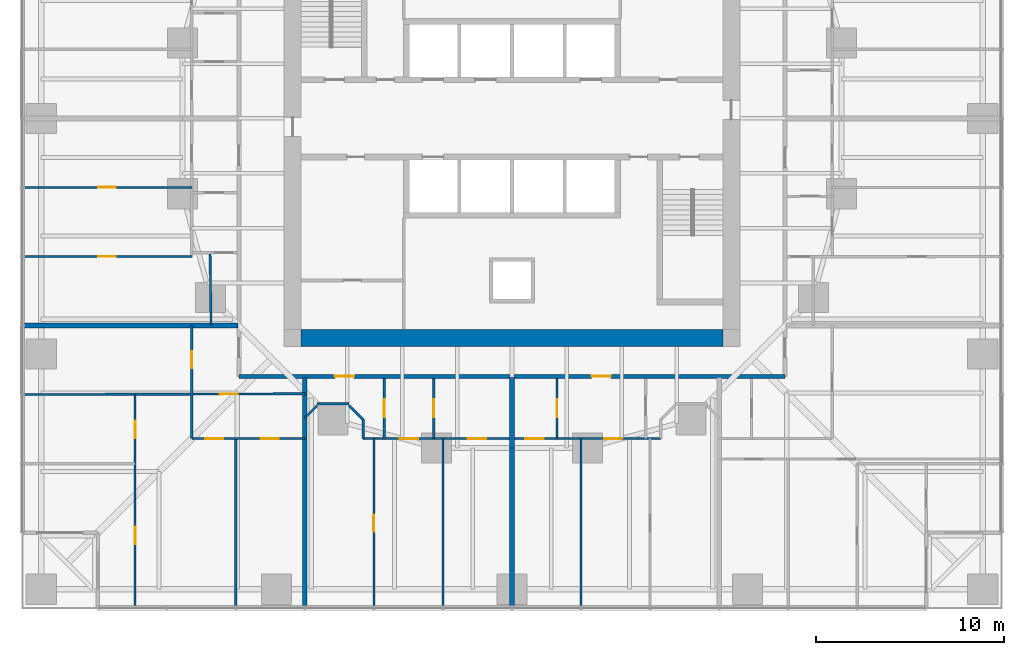
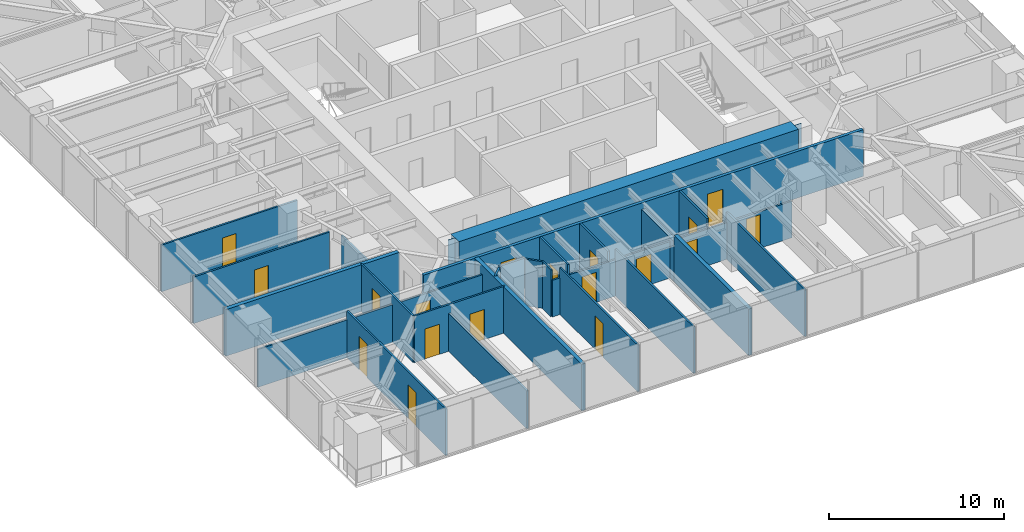
# One storey, part 8 of 17: 25 walls, 18 doors, 18 openings.
"""IFC4 building model written with IfcOpenShell, lengths in metres."""

from ifc_helpers import new_model, si_unit, direction, frame, frame_2d, origin, place, context, subcontext, project, spatial, polyline, rectangle, outline, extrude, material, layer, layer_set, type_object, element, fill, save


model = new_model("IFC4")

# Units and contexts
model_context = context("Model", 3, precision=1e-05, world=origin(), true_north=direction((0.0, 1.0)))
body_context = subcontext(model_context, "Body", "Model", "MODEL_VIEW")
ifc_project = project(units=[si_unit("LENGTHUNIT", "METRE"), si_unit("AREAUNIT", "SQUARE_METRE"), si_unit("VOLUMEUNIT", "CUBIC_METRE"), si_unit("PLANEANGLEUNIT", "RADIAN"), si_unit("MASSUNIT", "GRAM", prefix="KILO")], contexts=[model_context])

# Site, building, storey
site_placement = place(None, origin())
site = spatial("IfcSite", under=ifc_project, at=site_placement, CompositionType="ELEMENT")
building_placement = place(site_placement, origin())
building = spatial("IfcBuilding", under=site, at=building_placement, Name="Torsade Residences", CompositionType="ELEMENT")
storey_placement = place(building_placement, frame((0.0, 0.0, 18.39990234375)))
storey = spatial("IfcBuildingStorey", under=building, at=storey_placement, Name="L04", CompositionType="ELEMENT", Elevation=18.39990234375)

# Wall
ifc_material_1 = material(Name="Concrete 80 MPa", Category="concrete")
ifc_layer_1 = layer(ifc_material_1, 0.89990234375)
ifc_layer_set_1 = layer_set([ifc_layer_1], Name="Concrete 80 MPa")
wall_type_1 = type_object("IfcWallType", Name="CORE WALL 900", PredefinedType="SHEAR", material=ifc_layer_set_1)
wall_1_placement = place(storey_placement, frame((51.199951171875, 18.35009765625, 0.0), z_axis=(0.0, 0.0, 1.0), x_axis=(-1.0, 0.0, 0.0)))
element("IfcWall", 1, at=wall_1_placement, inside=storey, type_object=wall_type_1, Name="Core wall S L04", PredefinedType="SHEAR", context=body_context, shape_type="SweptSolid", body=[
    extrude(outline(polyline([(0.0, -0.449951171875), (22.39990234375, -0.449951171875), (22.39990234375, -0.02490234375), (22.849853515625, -0.02490234375), (22.849853515625, 0.02490234375), (22.39990234375, 0.02490234375), (22.39990234375, 0.449951171875), (0.0, 0.449951171875), (0.0, 0.02490234375), (-0.449951171875, 0.02490234375), (-0.449951171875, -0.02490234375), (0.0, -0.02490234375), (0.0, -0.449951171875)])), origin(), (0.0, 0.0, 1.0), 3.400146484375),
])

# Wall, openings, doors
ifc_material_2 = material(Name="Plasterboard on steel stud", Category="steel")
ifc_layer_2 = layer(ifc_material_2, 0.199951171875)
ifc_layer_set_2 = layer_set([ifc_layer_2], Name="Plasterboard on steel stud")
wall_type_2 = type_object("IfcWallType", Name="CORRIDOR WALL 200", PredefinedType="PARTITIONING", material=ifc_layer_set_2)
wall_2_placement = place(storey_placement, frame((25.5, 16.300048828125, 0.0), z_axis=(0.0, 0.0, 1.0), x_axis=(1.0, 0.0, 0.0)))
wall_2 = element("IfcWall", 2, at=wall_2_placement, inside=storey, type_object=wall_type_2, Name="Corridor wall L04", PredefinedType="PARTITIONING", context=body_context, shape_type="SweptSolid", body=[
    extrude(rectangle(XDim=29.0, YDim=0.199951171875, at=frame_2d((14.5, 0.0))), origin(), (0.0, 0.0, 1.0), 3.25),
])
opening_1_placement = place(wall_2_placement, frame((18.734130859375, 0.0, 0.0)))
opening_1 = element("IfcOpeningElement", 3, at=opening_1_placement, cuts=wall_2, Name="Opening D01", PredefinedType="OPENING", context=body_context, shape_type="SweptSolid", body=[
    extrude(rectangle(XDim=1.02001953125, YDim=2.340087890625, at=frame_2d((0.510009765625, 1.169921875))), frame((0.0, 0.10986328125, 0.0), z_axis=(0.0, -1.0, 0.0), x_axis=(1.0, 0.0, 0.0)), (0.0, 0.0, 1.0), 0.219970703125),
])
opening_2_placement = place(wall_2_placement, frame((5.09619140625, 0.0, 0.0)))
opening_2 = element("IfcOpeningElement", 4, at=opening_2_placement, cuts=wall_2, Name="Opening D01", PredefinedType="OPENING", context=body_context, shape_type="SweptSolid", body=[
    extrude(rectangle(XDim=1.02001953125, YDim=2.340087890625, at=frame_2d((0.510009765625, 1.169921875))), frame((0.0, 0.10986328125, 0.0), z_axis=(0.0, -1.0, 0.0), x_axis=(1.0, 0.0, 0.0)), (0.0, 0.0, 1.0), 0.219970703125),
])
ifc_material_3 = material(Name="Solid-core timber fire door", Category="wood")
door_type_1 = type_object("IfcDoorType", Name="APARTMENT ENTRY DOOR 1020x2340", OperationType="NOTDEFINED", PredefinedType="DOOR", material=ifc_material_3)
door_1_placement = place(opening_1_placement, origin())
door_1 = element("IfcDoor", 5, at=door_1_placement, inside=storey, type_object=door_type_1, Name="Door Residential corridor to Kitchen and dining", OperationType="SINGLE_SWING_RIGHT", OverallHeight=2.340087890625, OverallWidth=1.02001953125, PredefinedType="DOOR", context=body_context, shape_type="SweptSolid", body=[
    extrude(rectangle(XDim=1.02001953125, YDim=2.340087890625, at=frame_2d((0.510009765625, 1.169921875))), frame((0.0, 0.02490234375, 0.0), z_axis=(0.0, -1.0, 0.0), x_axis=(1.0, 0.0, 0.0)), (0.0, 0.0, 1.0), 0.050048828125),
])
fill(opening_1, door_1)
door_2_placement = place(opening_2_placement, origin())
door_2 = element("IfcDoor", 6, at=door_2_placement, inside=storey, type_object=door_type_1, Name="Door Residential corridor to Kitchen and dining", OperationType="SINGLE_SWING_RIGHT", OverallHeight=2.340087890625, OverallWidth=1.02001953125, PredefinedType="DOOR", context=body_context, shape_type="SweptSolid", body=[
    extrude(rectangle(XDim=1.02001953125, YDim=2.340087890625, at=frame_2d((0.510009765625, 1.169921875))), frame((0.0, 0.02490234375, 0.0), z_axis=(0.0, -1.0, 0.0), x_axis=(1.0, 0.0, 0.0)), (0.0, 0.0, 1.0), 0.050048828125),
])
fill(opening_2, door_2)

# Wall
ifc_material_4 = material(Name="Plasterboard on steel stud", Category="steel")
ifc_layer_3 = layer(ifc_material_4, 0.1201171875)
ifc_layer_set_3 = layer_set([ifc_layer_3], Name="Plasterboard on steel stud")
wall_type_3 = type_object("IfcWallType", Name="PARTITION 120", PredefinedType="PARTITIONING", material=ifc_layer_set_3)
wall_3_placement = place(storey_placement, frame((24.020263671875, 19.0, 0.0), z_axis=(0.0, 0.0, 1.0), x_axis=(-0.013494388256, 0.999908946597, 0.0)))
element("IfcWall", 7, at=wall_3_placement, inside=storey, type_object=wall_type_3, Name="Partition L04", PredefinedType="PARTITIONING", context=body_context, shape_type="SweptSolid", body=[
    extrude(rectangle(XDim=3.87158203125, YDim=0.1201171875, at=frame_2d((1.935791015625, 0.0))), origin(), (0.0, 0.0, 1.0), 2.550048828125),
])

# Wall, opening, door
wall_4_placement = place(storey_placement, frame((23.0, 26.333251953125, 0.0), z_axis=(0.0, 0.0, 1.0), x_axis=(-1.0, 0.0, 0.0)))
wall_4 = element("IfcWall", 8, at=wall_4_placement, inside=storey, type_object=wall_type_3, Name="Partition L04", PredefinedType="PARTITIONING", context=body_context, shape_type="SweptSolid", body=[
    extrude(rectangle(XDim=8.9599609375, YDim=0.1201171875, at=frame_2d((4.47998046875, 0.0))), origin(), (0.0, 0.0, 1.0), 3.25),
])
opening_3_placement = place(wall_4_placement, frame((4.0400390625, 0.0, 0.0)))
opening_3 = element("IfcOpeningElement", 9, at=opening_3_placement, cuts=wall_4, Name="Opening D02", PredefinedType="OPENING", context=body_context, shape_type="SweptSolid", body=[
    extrude(rectangle(XDim=0.919921875, YDim=2.340087890625, at=frame_2d((0.4599609375, 1.169921875))), frame((0.0, 0.070068359375, 0.0), z_axis=(0.0, -1.0, 0.0), x_axis=(1.0, 0.0, 0.0)), (0.0, 0.0, 1.0), 0.14013671875),
])
ifc_material_5 = material(Name="Hollow-core timber door", Category="wood")
door_type_2 = type_object("IfcDoorType", Name="INTERNAL DOOR 920x2340", OperationType="NOTDEFINED", PredefinedType="DOOR", material=ifc_material_5)
door_3_placement = place(opening_3_placement, origin())
door_3 = element("IfcDoor", 10, at=door_3_placement, inside=storey, type_object=door_type_2, Name="Door Living room to Bedroom 2", OperationType="SINGLE_SWING_LEFT", OverallHeight=2.340087890625, OverallWidth=0.919921875, PredefinedType="DOOR", context=body_context, shape_type="SweptSolid", body=[
    extrude(rectangle(XDim=0.919921875, YDim=2.340087890625, at=frame_2d((0.4599609375, 1.169921875))), frame((0.0, 0.02490234375, 0.0), z_axis=(0.0, -1.0, 0.0), x_axis=(1.0, 0.0, 0.0)), (0.0, 0.0, 1.0), 0.050048828125),
])
fill(opening_3, door_3)

wall_5_placement = place(storey_placement, frame((14.0400390625, 22.666748046875, 0.0), z_axis=(0.0, 0.0, 1.0), x_axis=(1.0, 0.0, 0.0)))
wall_5 = element("IfcWall", 11, at=wall_5_placement, inside=storey, type_object=wall_type_3, Name="Partition L04", PredefinedType="PARTITIONING", context=body_context, shape_type="SweptSolid", body=[
    extrude(rectangle(XDim=8.9599609375, YDim=0.1201171875, at=frame_2d((4.47998046875, 0.0))), origin(), (0.0, 0.0, 1.0), 3.25),
])
opening_4_placement = place(wall_5_placement, frame((4.0, 0.0, 0.0)))
opening_4 = element("IfcOpeningElement", 12, at=opening_4_placement, cuts=wall_5, Name="Opening D02", PredefinedType="OPENING", context=body_context, shape_type="SweptSolid", body=[
    extrude(rectangle(XDim=0.919921875, YDim=2.340087890625, at=frame_2d((0.4599609375, 1.169921875))), frame((0.0, 0.070068359375, 0.0), z_axis=(0.0, -1.0, 0.0), x_axis=(1.0, 0.0, 0.0)), (0.0, 0.0, 1.0), 0.14013671875),
])
door_4_placement = place(opening_4_placement, origin())
door_4 = element("IfcDoor", 13, at=door_4_placement, inside=storey, type_object=door_type_2, Name="Door Bedroom 2 to Bedroom 1", OperationType="SINGLE_SWING_LEFT", OverallHeight=2.340087890625, OverallWidth=0.919921875, PredefinedType="DOOR", context=body_context, shape_type="SweptSolid", body=[
    extrude(rectangle(XDim=0.919921875, YDim=2.340087890625, at=frame_2d((0.4599609375, 1.169921875))), frame((0.0, 0.02490234375, 0.0), z_axis=(0.0, -1.0, 0.0), x_axis=(1.0, 0.0, 0.0)), (0.0, 0.0, 1.0), 0.050048828125),
])
fill(opening_4, door_4)

wall_6_placement = place(storey_placement, frame((29.0, 15.377685546875, 0.0), z_axis=(0.0, 0.0, 1.0), x_axis=(-0.999995589081, -0.002970154664, 0.0)))
wall_6 = element("IfcWall", 14, at=wall_6_placement, inside=storey, type_object=wall_type_3, Name="Partition L04", PredefinedType="PARTITIONING", context=body_context, shape_type="SweptSolid", body=[
    extrude(rectangle(XDim=14.9599609375, YDim=0.1201171875, at=frame_2d((7.47998046875, 0.0))), origin(), (0.0, 0.0, 1.0), 2.63818359375),
])
opening_5_placement = place(wall_6_placement, frame((3.570068359375, 0.0, 0.0)))
opening_5 = element("IfcOpeningElement", 15, at=opening_5_placement, cuts=wall_6, Name="Opening D05", PredefinedType="OPENING", context=body_context, shape_type="SweptSolid", body=[
    extrude(rectangle(XDim=0.9599609375, YDim=2.10009765625, at=frame_2d((0.47998046875, 1.050048828125))), frame((0.0, 0.070068359375, 0.0), z_axis=(0.0, -1.0, 0.0), x_axis=(1.0, 0.0, 0.0)), (0.0, 0.0, 1.0), 0.14013671875),
])
ifc_material_6 = material(Name="Hollow-core timber door in a steel cavity frame", Category="steel")
door_type_3 = type_object("IfcDoorType", Name="BATHROOM CAVITY SLIDING DOOR 960", OperationType="SLIDING_TO_LEFT", PredefinedType="DOOR", material=ifc_material_6)
door_5_placement = place(opening_5_placement, origin())
door_5 = element("IfcDoor", 16, at=door_5_placement, inside=storey, type_object=door_type_3, Name="Door Kitchen and dining to Bathroom", OperationType="SLIDING_TO_LEFT", OverallHeight=2.10009765625, OverallWidth=0.9599609375, PredefinedType="DOOR", context=body_context, shape_type="SweptSolid", body=[
    extrude(rectangle(XDim=0.9599609375, YDim=2.10009765625, at=frame_2d((0.47998046875, 1.050048828125))), frame((0.0, 0.02490234375, 0.0), z_axis=(0.0, -1.0, 0.0), x_axis=(1.0, 0.0, 0.0)), (0.0, 0.0, 1.0), 0.050048828125),
])
fill(opening_5, door_5)

wall_7_placement = place(storey_placement, frame((23.0, 13.0, 0.0), z_axis=(0.0, 0.0, 1.0), x_axis=(0.0, 1.0, 0.0)))
wall_7 = element("IfcWall", 17, at=wall_7_placement, inside=storey, type_object=wall_type_3, Name="Partition L04", PredefinedType="PARTITIONING", context=body_context, shape_type="SweptSolid", body=[
    extrude(rectangle(XDim=6.0, YDim=0.1201171875, at=frame_2d((3.0, 0.0))), origin(), (0.0, 0.0, 1.0), 3.25),
])
opening_6_placement = place(wall_7_placement, frame((3.72900390625, 0.0, 0.0)))
opening_6 = element("IfcOpeningElement", 18, at=opening_6_placement, cuts=wall_7, Name="Opening D02", PredefinedType="OPENING", context=body_context, shape_type="SweptSolid", body=[
    extrude(rectangle(XDim=0.919921875, YDim=2.340087890625, at=frame_2d((0.4599609375, 1.169921875))), frame((0.0, 0.070068359375, 0.0), z_axis=(0.0, -1.0, 0.0), x_axis=(1.0, 0.0, 0.0)), (0.0, 0.0, 1.0), 0.14013671875),
])
door_6_placement = place(opening_6_placement, origin())
door_6 = element("IfcDoor", 19, at=door_6_placement, inside=storey, type_object=door_type_2, Name="Door Kitchen and dining to Bedroom 1", OperationType="SINGLE_SWING_RIGHT", OverallHeight=2.340087890625, OverallWidth=0.919921875, PredefinedType="DOOR", context=body_context, shape_type="SweptSolid", body=[
    extrude(rectangle(XDim=0.919921875, YDim=2.340087890625, at=frame_2d((0.4599609375, 1.169921875))), frame((0.0, 0.02490234375, 0.0), z_axis=(0.0, -1.0, 0.0), x_axis=(1.0, 0.0, 0.0)), (0.0, 0.0, 1.0), 0.050048828125),
])
fill(opening_6, door_6)

# Wall, openings, doors
wall_8_placement = place(storey_placement, frame((29.0, 13.0, 0.0), z_axis=(0.0, 0.0, 1.0), x_axis=(-1.0, 0.0, 0.0)))
wall_8 = element("IfcWall", 20, at=wall_8_placement, inside=storey, type_object=wall_type_3, Name="Partition L04", PredefinedType="PARTITIONING", context=body_context, shape_type="SweptSolid", body=[
    extrude(rectangle(XDim=6.0, YDim=0.1201171875, at=frame_2d((3.0, 0.0))), origin(), (0.0, 0.0, 1.0), 3.25),
])
opening_7_placement = place(wall_8_placement, frame((1.37841796875, 0.0, 0.0)))
opening_7 = element("IfcOpeningElement", 21, at=opening_7_placement, cuts=wall_8, Name="Opening D05", PredefinedType="OPENING", context=body_context, shape_type="SweptSolid", body=[
    extrude(rectangle(XDim=0.9599609375, YDim=2.10009765625, at=frame_2d((0.47998046875, 1.050048828125))), frame((0.0, 0.070068359375, 0.0), z_axis=(0.0, -1.0, 0.0), x_axis=(1.0, 0.0, 0.0)), (0.0, 0.0, 1.0), 0.14013671875),
])
opening_8_placement = place(wall_8_placement, frame((4.328369140625, 0.0, 0.0)))
opening_8 = element("IfcOpeningElement", 22, at=opening_8_placement, cuts=wall_8, Name="Opening D05", PredefinedType="OPENING", context=body_context, shape_type="SweptSolid", body=[
    extrude(rectangle(XDim=0.9599609375, YDim=2.10009765625, at=frame_2d((0.47998046875, 1.050048828125))), frame((0.0, 0.070068359375, 0.0), z_axis=(0.0, -1.0, 0.0), x_axis=(1.0, 0.0, 0.0)), (0.0, 0.0, 1.0), 0.14013671875),
])
door_7_placement = place(opening_7_placement, origin())
door_7 = element("IfcDoor", 23, at=door_7_placement, inside=storey, type_object=door_type_3, Name="Door Bathroom to Bedroom 2", OperationType="SLIDING_TO_LEFT", OverallHeight=2.10009765625, OverallWidth=0.9599609375, PredefinedType="DOOR", context=body_context, shape_type="SweptSolid", body=[
    extrude(rectangle(XDim=0.9599609375, YDim=2.10009765625, at=frame_2d((0.47998046875, 1.050048828125))), frame((0.0, 0.02490234375, 0.0), z_axis=(0.0, -1.0, 0.0), x_axis=(1.0, 0.0, 0.0)), (0.0, 0.0, 1.0), 0.050048828125),
])
fill(opening_7, door_7)
door_8_placement = place(opening_8_placement, origin())
door_8 = element("IfcDoor", 24, at=door_8_placement, inside=storey, type_object=door_type_3, Name="Door Bathroom to Living room", OperationType="SLIDING_TO_LEFT", OverallHeight=2.10009765625, OverallWidth=0.9599609375, PredefinedType="DOOR", context=body_context, shape_type="SweptSolid", body=[
    extrude(rectangle(XDim=0.9599609375, YDim=2.10009765625, at=frame_2d((0.47998046875, 1.050048828125))), frame((0.0, 0.02490234375, 0.0), z_axis=(0.0, -1.0, 0.0), x_axis=(1.0, 0.0, 0.0)), (0.0, 0.0, 1.0), 0.050048828125),
])
fill(opening_8, door_8)

# Wall
wall_9_placement = place(storey_placement, frame((25.333251953125, 13.0, 0.0), z_axis=(0.0, 0.0, 1.0), x_axis=(0.0, -1.0, 0.0)))
element("IfcWall", 25, at=wall_9_placement, inside=storey, type_object=wall_type_3, Name="Partition L04", PredefinedType="PARTITIONING", context=body_context, shape_type="SweptSolid", body=[
    extrude(rectangle(XDim=8.9599609375, YDim=0.1201171875, at=frame_2d((4.47998046875, 0.0))), origin(), (0.0, 0.0, 1.0), 2.63818359375),
])

# Wall, openings, doors
wall_10_placement = place(storey_placement, frame((19.986083984375, 4.0400390625, 0.0), z_axis=(0.0, 0.0, 1.0), x_axis=(0.0, 1.0, 0.0)))
wall_10 = element("IfcWall", 26, at=wall_10_placement, inside=storey, type_object=wall_type_3, Name="Partition L04", PredefinedType="PARTITIONING", context=body_context, shape_type="SweptSolid", body=[
    extrude(rectangle(XDim=11.293212890625, YDim=0.1201171875, at=frame_2d((5.646484375, 0.0))), origin(), (0.0, 0.0, 1.0), 3.25),
])
opening_9_placement = place(wall_10_placement, frame((3.3583984375, 0.0, 0.0)))
opening_9 = element("IfcOpeningElement", 27, at=opening_9_placement, cuts=wall_10, Name="Opening D02", PredefinedType="OPENING", context=body_context, shape_type="SweptSolid", body=[
    extrude(rectangle(XDim=0.919921875, YDim=2.340087890625, at=frame_2d((0.4599609375, 1.169921875))), frame((0.0, 0.070068359375, 0.0), z_axis=(0.0, -1.0, 0.0), x_axis=(1.0, 0.0, 0.0)), (0.0, 0.0, 1.0), 0.14013671875),
])
opening_10_placement = place(wall_10_placement, frame((8.97509765625, 0.0, 0.0)))
opening_10 = element("IfcOpeningElement", 28, at=opening_10_placement, cuts=wall_10, Name="Opening D02", PredefinedType="OPENING", context=body_context, shape_type="SweptSolid", body=[
    extrude(rectangle(XDim=0.919921875, YDim=2.340087890625, at=frame_2d((0.4599609375, 1.169921875))), frame((0.0, 0.070068359375, 0.0), z_axis=(0.0, -1.0, 0.0), x_axis=(1.0, 0.0, 0.0)), (0.0, 0.0, 1.0), 0.14013671875),
])
door_9_placement = place(opening_9_placement, origin())
door_9 = element("IfcDoor", 29, at=door_9_placement, inside=storey, type_object=door_type_2, Name="Door Living room to Study", OperationType="SINGLE_SWING_RIGHT", OverallHeight=2.340087890625, OverallWidth=0.919921875, PredefinedType="DOOR", context=body_context, shape_type="SweptSolid", body=[
    extrude(rectangle(XDim=0.919921875, YDim=2.340087890625, at=frame_2d((0.4599609375, 1.169921875))), frame((0.0, 0.02490234375, 0.0), z_axis=(0.0, -1.0, 0.0), x_axis=(1.0, 0.0, 0.0)), (0.0, 0.0, 1.0), 0.050048828125),
])
fill(opening_9, door_9)
door_10_placement = place(opening_10_placement, origin())
door_10 = element("IfcDoor", 30, at=door_10_placement, inside=storey, type_object=door_type_2, Name="Door Living room to Family room", OperationType="SINGLE_SWING_LEFT", OverallHeight=2.340087890625, OverallWidth=0.919921875, PredefinedType="DOOR", context=body_context, shape_type="SweptSolid", body=[
    extrude(rectangle(XDim=0.919921875, YDim=2.340087890625, at=frame_2d((0.4599609375, 1.169921875))), frame((0.0, 0.02490234375, 0.0), z_axis=(0.0, -1.0, 0.0), x_axis=(1.0, 0.0, 0.0)), (0.0, 0.0, 1.0), 0.050048828125),
])
fill(opening_10, door_10)

# Wall, opening, door
wall_11_placement = place(storey_placement, frame((33.21240234375, 16.199951171875, 0.0), z_axis=(0.0, 0.0, 1.0), x_axis=(0.0, -1.0, 0.0)))
wall_11 = element("IfcWall", 31, at=wall_11_placement, inside=storey, type_object=wall_type_3, Name="Partition L04", PredefinedType="PARTITIONING", context=body_context, shape_type="SweptSolid", body=[
    extrude(rectangle(XDim=3.199951171875, YDim=0.1201171875, at=frame_2d((1.60009765625, 0.0))), origin(), (0.0, 0.0, 1.0), 3.25),
])
opening_11_placement = place(wall_11_placement, frame((1.1201171875, 0.0, 0.0)))
opening_11 = element("IfcOpeningElement", 32, at=opening_11_placement, cuts=wall_11, Name="Opening D05", PredefinedType="OPENING", context=body_context, shape_type="SweptSolid", body=[
    extrude(rectangle(XDim=0.9599609375, YDim=2.10009765625, at=frame_2d((0.47998046875, 1.050048828125))), frame((0.0, 0.070068359375, 0.0), z_axis=(0.0, -1.0, 0.0), x_axis=(1.0, 0.0, 0.0)), (0.0, 0.0, 1.0), 0.14013671875),
])
door_11_placement = place(opening_11_placement, origin())
door_11 = element("IfcDoor", 33, at=door_11_placement, inside=storey, type_object=door_type_3, Name="Door Kitchen and dining to Ensuite", OperationType="SLIDING_TO_LEFT", OverallHeight=2.10009765625, OverallWidth=0.9599609375, PredefinedType="DOOR", context=body_context, shape_type="SweptSolid", body=[
    extrude(rectangle(XDim=0.9599609375, YDim=2.10009765625, at=frame_2d((0.47998046875, 1.050048828125))), frame((0.0, 0.02490234375, 0.0), z_axis=(0.0, -1.0, 0.0), x_axis=(1.0, 0.0, 0.0)), (0.0, 0.0, 1.0), 0.050048828125),
])
fill(opening_11, door_11)

# Wall, openings, doors
wall_12_placement = place(storey_placement, frame((47.89990234375, 13.0, 0.0), z_axis=(0.0, 0.0, 1.0), x_axis=(-1.0, 0.0, 0.0)))
wall_12 = element("IfcWall", 34, at=wall_12_placement, inside=storey, type_object=wall_type_3, Name="Partition L04", PredefinedType="PARTITIONING", context=body_context, shape_type="SweptSolid", body=[
    extrude(rectangle(XDim=15.7998046875, YDim=0.1201171875, at=frame_2d((7.89990234375, 0.0))), origin(), (0.0, 0.0, 1.0), 2.550048828125),
])
opening_12_placement = place(wall_12_placement, frame((2.082763671875, 0.0, 0.0)))
opening_12 = element("IfcOpeningElement", 35, at=opening_12_placement, cuts=wall_12, Name="Opening D02", PredefinedType="OPENING", context=body_context, shape_type="SweptSolid", body=[
    extrude(rectangle(XDim=0.919921875, YDim=2.340087890625, at=frame_2d((0.4599609375, 1.169921875))), frame((0.0, 0.070068359375, 0.0), z_axis=(0.0, -1.0, 0.0), x_axis=(1.0, 0.0, 0.0)), (0.0, 0.0, 1.0), 0.14013671875),
])
opening_13_placement = place(wall_12_placement, frame((6.224609375, 0.0, 0.0)))
opening_13 = element("IfcOpeningElement", 36, at=opening_13_placement, cuts=wall_12, Name="Opening D05", PredefinedType="OPENING", context=body_context, shape_type="SweptSolid", body=[
    extrude(rectangle(XDim=0.9599609375, YDim=2.10009765625, at=frame_2d((0.47998046875, 1.050048828125))), frame((0.0, 0.070068359375, 0.0), z_axis=(0.0, -1.0, 0.0), x_axis=(1.0, 0.0, 0.0)), (0.0, 0.0, 1.0), 0.14013671875),
])
opening_14_placement = place(wall_12_placement, frame((12.88818359375, 0.0, 0.0)))
opening_14 = element("IfcOpeningElement", 37, at=opening_14_placement, cuts=wall_12, Name="Opening D05", PredefinedType="OPENING", context=body_context, shape_type="SweptSolid", body=[
    extrude(rectangle(XDim=0.9599609375, YDim=2.10009765625, at=frame_2d((0.47998046875, 1.050048828125))), frame((0.0, 0.070068359375, 0.0), z_axis=(0.0, -1.0, 0.0), x_axis=(1.0, 0.0, 0.0)), (0.0, 0.0, 1.0), 0.14013671875),
])
opening_15_placement = place(wall_12_placement, frame((9.2783203125, 0.0, 0.0)))
opening_15 = element("IfcOpeningElement", 38, at=opening_15_placement, cuts=wall_12, Name="Opening D05", PredefinedType="OPENING", context=body_context, shape_type="SweptSolid", body=[
    extrude(rectangle(XDim=0.9599609375, YDim=2.10009765625, at=frame_2d((0.47998046875, 1.050048828125))), frame((0.0, 0.070068359375, 0.0), z_axis=(0.0, -1.0, 0.0), x_axis=(1.0, 0.0, 0.0)), (0.0, 0.0, 1.0), 0.14013671875),
])
door_12_placement = place(opening_13_placement, origin())
door_12 = element("IfcDoor", 39, at=door_12_placement, inside=storey, type_object=door_type_3, Name="Door Ensuite to Living room", OperationType="SLIDING_TO_LEFT", OverallHeight=2.10009765625, OverallWidth=0.9599609375, PredefinedType="DOOR", context=body_context, shape_type="SweptSolid", body=[
    extrude(rectangle(XDim=0.9599609375, YDim=2.10009765625, at=frame_2d((0.47998046875, 1.050048828125))), frame((0.0, 0.02490234375, 0.0), z_axis=(0.0, -1.0, 0.0), x_axis=(1.0, 0.0, 0.0)), (0.0, 0.0, 1.0), 0.050048828125),
])
fill(opening_13, door_12)
door_13_placement = place(opening_14_placement, origin())
door_13 = element("IfcDoor", 40, at=door_13_placement, inside=storey, type_object=door_type_3, Name="Door Ensuite to Bedroom 2", OperationType="SLIDING_TO_LEFT", OverallHeight=2.10009765625, OverallWidth=0.9599609375, PredefinedType="DOOR", context=body_context, shape_type="SweptSolid", body=[
    extrude(rectangle(XDim=0.9599609375, YDim=2.10009765625, at=frame_2d((0.47998046875, 1.050048828125))), frame((0.0, 0.02490234375, 0.0), z_axis=(0.0, -1.0, 0.0), x_axis=(1.0, 0.0, 0.0)), (0.0, 0.0, 1.0), 0.050048828125),
])
fill(opening_14, door_13)
door_14_placement = place(opening_15_placement, origin())
door_14 = element("IfcDoor", 41, at=door_14_placement, inside=storey, type_object=door_type_3, Name="Door Bathroom to Bedroom 1", OperationType="SLIDING_TO_LEFT", OverallHeight=2.10009765625, OverallWidth=0.9599609375, PredefinedType="DOOR", context=body_context, shape_type="SweptSolid", body=[
    extrude(rectangle(XDim=0.9599609375, YDim=2.10009765625, at=frame_2d((0.47998046875, 1.050048828125))), frame((0.0, 0.02490234375, 0.0), z_axis=(0.0, -1.0, 0.0), x_axis=(1.0, 0.0, 0.0)), (0.0, 0.0, 1.0), 0.050048828125),
])
fill(opening_15, door_14)
door_15_placement = place(opening_12_placement, origin())
door_15 = element("IfcDoor", 42, at=door_15_placement, inside=storey, type_object=door_type_2, Name="Door Kitchen and dining to Bedroom 2", OperationType="SINGLE_SWING_RIGHT", OverallHeight=2.340087890625, OverallWidth=0.919921875, PredefinedType="DOOR", context=body_context, shape_type="SweptSolid", body=[
    extrude(rectangle(XDim=0.919921875, YDim=2.340087890625, at=frame_2d((0.4599609375, 1.169921875))), frame((0.0, 0.02490234375, 0.0), z_axis=(0.0, -1.0, 0.0), x_axis=(1.0, 0.0, 0.0)), (0.0, 0.0, 1.0), 0.050048828125),
])
fill(opening_12, door_15)

# Walls
wall_13_placement = place(storey_placement, frame((32.10009765625, 13.0, 0.0), z_axis=(0.0, 0.0, 1.0), x_axis=(0.0, 1.0, 0.0)))
element("IfcWall", 43, at=wall_13_placement, inside=storey, type_object=wall_type_3, Name="Partition L04", PredefinedType="PARTITIONING", context=body_context, shape_type="SweptSolid", body=[
    extrude(rectangle(XDim=1.0, YDim=0.1201171875, at=frame_2d((0.5, 0.0))), origin(), (0.0, 0.0, 1.0), 3.25),
])
wall_14_placement = place(storey_placement, frame((32.10009765625, 14.0, 0.0), z_axis=(0.0, 0.0, 1.0), x_axis=(-0.707106781187, 0.707106781187, 0.0)))
element("IfcWall", 44, at=wall_14_placement, inside=storey, type_object=wall_type_3, Name="Partition L04", PredefinedType="PARTITIONING", context=body_context, shape_type="SweptSolid", body=[
    extrude(rectangle(XDim=1.060546875, YDim=0.1201171875, at=frame_2d((0.5302734375, 0.0))), origin(), (0.0, 0.0, 1.0), 3.25),
])
wall_15_placement = place(storey_placement, frame((31.35009765625, 14.85009765625, 0.0), z_axis=(0.0, 0.0, 1.0), x_axis=(-1.0, 0.0, 0.0)))
element("IfcWall", 45, at=wall_15_placement, inside=storey, type_object=wall_type_3, Name="Partition L04", PredefinedType="PARTITIONING", context=body_context, shape_type="SweptSolid", body=[
    extrude(rectangle(XDim=1.7001953125, YDim=0.1201171875, at=frame_2d((0.85009765625, 0.0))), origin(), (0.0, 0.0, 1.0), 3.25),
])
wall_16_placement = place(storey_placement, frame((29.64990234375, 14.75, 0.0), z_axis=(0.0, 0.0, 1.0), x_axis=(-0.707106781187, -0.707106781187, 0.0)))
element("IfcWall", 46, at=wall_16_placement, inside=storey, type_object=wall_type_3, Name="Partition L04", PredefinedType="PARTITIONING", context=body_context, shape_type="SweptSolid", body=[
    extrude(rectangle(XDim=0.919189453125, YDim=0.1201171875, at=frame_2d((0.45947265625, 0.0))), origin(), (0.0, 0.0, 1.0), 3.25),
])

# Wall, opening, door
wall_17_placement = place(storey_placement, frame((35.851318359375, 13.0, 0.0), z_axis=(0.0, 0.0, 1.0), x_axis=(0.0, 1.0, 0.0)))
wall_17 = element("IfcWall", 47, at=wall_17_placement, inside=storey, type_object=wall_type_3, Name="Partition L04", PredefinedType="PARTITIONING", context=body_context, shape_type="SweptSolid", body=[
    extrude(rectangle(XDim=3.199951171875, YDim=0.1201171875, at=frame_2d((1.60009765625, 0.0))), origin(), (0.0, 0.0, 1.0), 3.25),
])
opening_16_placement = place(wall_17_placement, frame((1.1201171875, 0.0, 0.0)))
opening_16 = element("IfcOpeningElement", 48, at=opening_16_placement, cuts=wall_17, Name="Opening D05", PredefinedType="OPENING", context=body_context, shape_type="SweptSolid", body=[
    extrude(rectangle(XDim=0.9599609375, YDim=2.10009765625, at=frame_2d((0.47998046875, 1.050048828125))), frame((0.0, 0.070068359375, 0.0), z_axis=(0.0, -1.0, 0.0), x_axis=(1.0, 0.0, 0.0)), (0.0, 0.0, 1.0), 0.14013671875),
])
door_16_placement = place(opening_16_placement, origin())
door_16 = element("IfcDoor", 49, at=door_16_placement, inside=storey, type_object=door_type_3, Name="Door Ensuite to Bathroom", OperationType="SLIDING_TO_LEFT", OverallHeight=2.10009765625, OverallWidth=0.9599609375, PredefinedType="DOOR", context=body_context, shape_type="SweptSolid", body=[
    extrude(rectangle(XDim=0.9599609375, YDim=2.10009765625, at=frame_2d((0.47998046875, 1.050048828125))), frame((0.0, 0.02490234375, 0.0), z_axis=(0.0, -1.0, 0.0), x_axis=(1.0, 0.0, 0.0)), (0.0, 0.0, 1.0), 0.050048828125),
])
fill(opening_16, door_16)

wall_18_placement = place(storey_placement, frame((32.666748046875, 13.0, 0.0), z_axis=(0.0, 0.0, 1.0), x_axis=(0.0, -1.0, 0.0)))
wall_18 = element("IfcWall", 50, at=wall_18_placement, inside=storey, type_object=wall_type_3, Name="Partition L04", PredefinedType="PARTITIONING", context=body_context, shape_type="SweptSolid", body=[
    extrude(rectangle(XDim=8.9599609375, YDim=0.1201171875, at=frame_2d((4.47998046875, 0.0))), origin(), (0.0, 0.0, 1.0), 3.25),
])
opening_17_placement = place(wall_18_placement, frame((4.0400390625, 0.0, 0.0)))
opening_17 = element("IfcOpeningElement", 51, at=opening_17_placement, cuts=wall_18, Name="Opening D02", PredefinedType="OPENING", context=body_context, shape_type="SweptSolid", body=[
    extrude(rectangle(XDim=0.919921875, YDim=2.340087890625, at=frame_2d((0.4599609375, 1.169921875))), frame((0.0, 0.070068359375, 0.0), z_axis=(0.0, -1.0, 0.0), x_axis=(1.0, 0.0, 0.0)), (0.0, 0.0, 1.0), 0.14013671875),
])
door_17_placement = place(opening_17_placement, origin())
door_17 = element("IfcDoor", 52, at=door_17_placement, inside=storey, type_object=door_type_2, Name="Door Bedroom 2 to Living room", OperationType="SINGLE_SWING_LEFT", OverallHeight=2.340087890625, OverallWidth=0.919921875, PredefinedType="DOOR", context=body_context, shape_type="SweptSolid", body=[
    extrude(rectangle(XDim=0.919921875, YDim=2.340087890625, at=frame_2d((0.4599609375, 1.169921875))), frame((0.0, 0.02490234375, 0.0), z_axis=(0.0, -1.0, 0.0), x_axis=(1.0, 0.0, 0.0)), (0.0, 0.0, 1.0), 0.050048828125),
])
fill(opening_17, door_17)

# Wall
wall_19_placement = place(storey_placement, frame((36.333251953125, 4.0400390625, 0.0), z_axis=(0.0, 0.0, 1.0), x_axis=(0.0, 1.0, 0.0)))
element("IfcWall", 53, at=wall_19_placement, inside=storey, type_object=wall_type_3, Name="Partition L04", PredefinedType="PARTITIONING", context=body_context, shape_type="SweptSolid", body=[
    extrude(rectangle(XDim=8.9599609375, YDim=0.1201171875, at=frame_2d((4.47998046875, 0.0))), origin(), (0.0, 0.0, 1.0), 3.25),
])

# Wall, opening, door
wall_20_placement = place(storey_placement, frame((42.390869140625, 13.0, 0.0), z_axis=(0.0, 0.0, 1.0), x_axis=(0.0, 1.0, 0.0)))
wall_20 = element("IfcWall", 54, at=wall_20_placement, inside=storey, type_object=wall_type_3, Name="Partition L04", PredefinedType="PARTITIONING", context=body_context, shape_type="SweptSolid", body=[
    extrude(rectangle(XDim=3.199951171875, YDim=0.1201171875, at=frame_2d((1.60009765625, 0.0))), origin(), (0.0, 0.0, 1.0), 3.25),
])
opening_18_placement = place(wall_20_placement, frame((1.1201171875, 0.0, 0.0)))
opening_18 = element("IfcOpeningElement", 55, at=opening_18_placement, cuts=wall_20, Name="Opening D05", PredefinedType="OPENING", context=body_context, shape_type="SweptSolid", body=[
    extrude(rectangle(XDim=0.9599609375, YDim=2.10009765625, at=frame_2d((0.47998046875, 1.050048828125))), frame((0.0, 0.070068359375, 0.0), z_axis=(0.0, -1.0, 0.0), x_axis=(1.0, 0.0, 0.0)), (0.0, 0.0, 1.0), 0.14013671875),
])
door_18_placement = place(opening_18_placement, origin())
door_18 = element("IfcDoor", 56, at=door_18_placement, inside=storey, type_object=door_type_3, Name="Door Kitchen and dining to Ensuite", OperationType="SLIDING_TO_LEFT", OverallHeight=2.10009765625, OverallWidth=0.9599609375, PredefinedType="DOOR", context=body_context, shape_type="SweptSolid", body=[
    extrude(rectangle(XDim=0.9599609375, YDim=2.10009765625, at=frame_2d((0.47998046875, 1.050048828125))), frame((0.0, 0.02490234375, 0.0), z_axis=(0.0, -1.0, 0.0), x_axis=(1.0, 0.0, 0.0)), (0.0, 0.0, 1.0), 0.050048828125),
])
fill(opening_18, door_18)

# Walls
wall_21_placement = place(storey_placement, frame((43.666748046875, 13.0, 0.0), z_axis=(0.0, 0.0, 1.0), x_axis=(0.0, -1.0, 0.0)))
element("IfcWall", 57, at=wall_21_placement, inside=storey, type_object=wall_type_3, Name="Partition L04", PredefinedType="PARTITIONING", context=body_context, shape_type="SweptSolid", body=[
    extrude(rectangle(XDim=8.9599609375, YDim=0.1201171875, at=frame_2d((4.47998046875, 0.0))), origin(), (0.0, 0.0, 1.0), 3.25),
])
ifc_material_7 = material(Name="Masonry-lined stud party wall", Category="masonry")
ifc_layer_4 = layer(ifc_material_7, 0.25)
ifc_layer_set_4 = layer_set([ifc_layer_4], Name="Masonry-lined stud party wall")
wall_type_4 = type_object("IfcWallType", Name="PARTY WALL 250", PredefinedType="PARTITIONING", material=ifc_layer_set_4)
wall_22_placement = place(storey_placement, frame((29.0, 4.0, 0.0), z_axis=(0.0, 0.0, 1.0), x_axis=(0.0, 1.0, 0.0)))
element("IfcWall", 58, at=wall_22_placement, inside=storey, type_object=wall_type_4, Name="Party wall L04", PredefinedType="PARTITIONING", context=body_context, shape_type="SweptSolid", body=[
    extrude(rectangle(XDim=12.239990234375, YDim=0.25, at=frame_2d((6.1201171875, 0.0))), origin(), (0.0, 0.0, 1.0), 3.25),
])
wall_23_placement = place(storey_placement, frame((40.0, 4.0, 0.0), z_axis=(0.0, 0.0, 1.0), x_axis=(0.0, 1.0, 0.0)))
element("IfcWall", 59, at=wall_23_placement, inside=storey, type_object=wall_type_4, Name="Party wall L04", PredefinedType="PARTITIONING", context=body_context, shape_type="SweptSolid", body=[
    extrude(rectangle(XDim=8.5, YDim=0.25, at=frame_2d((4.25, 0.0))), origin(), (0.0, 0.0, 1.0), 3.25),
])
wall_24_placement = place(storey_placement, frame((40.0, 12.5, 0.0), z_axis=(0.0, 0.0, 1.0), x_axis=(0.0, 1.0, 0.0)))
element("IfcWall", 60, at=wall_24_placement, inside=storey, type_object=wall_type_4, Name="Party wall L04", PredefinedType="PARTITIONING", context=body_context, shape_type="SweptSolid", body=[
    extrude(rectangle(XDim=3.739990234375, YDim=0.25, at=frame_2d((1.8701171875, 0.0))), origin(), (0.0, 0.0, 1.0), 2.795166015625),
])
wall_25_placement = place(storey_placement, frame((14.0, 19.0, 0.0), z_axis=(0.0, 0.0, 1.0), x_axis=(1.0, 0.0, 0.0)))
element("IfcWall", 61, at=wall_25_placement, inside=storey, type_object=wall_type_4, Name="Party wall L04", PredefinedType="PARTITIONING", context=body_context, shape_type="SweptSolid", body=[
    extrude(rectangle(XDim=11.43994140625, YDim=0.25, at=frame_2d((5.719970703125, 0.0))), origin(), (0.0, 0.0, 1.0), 3.25),
])

save(model, "model.ifc")
